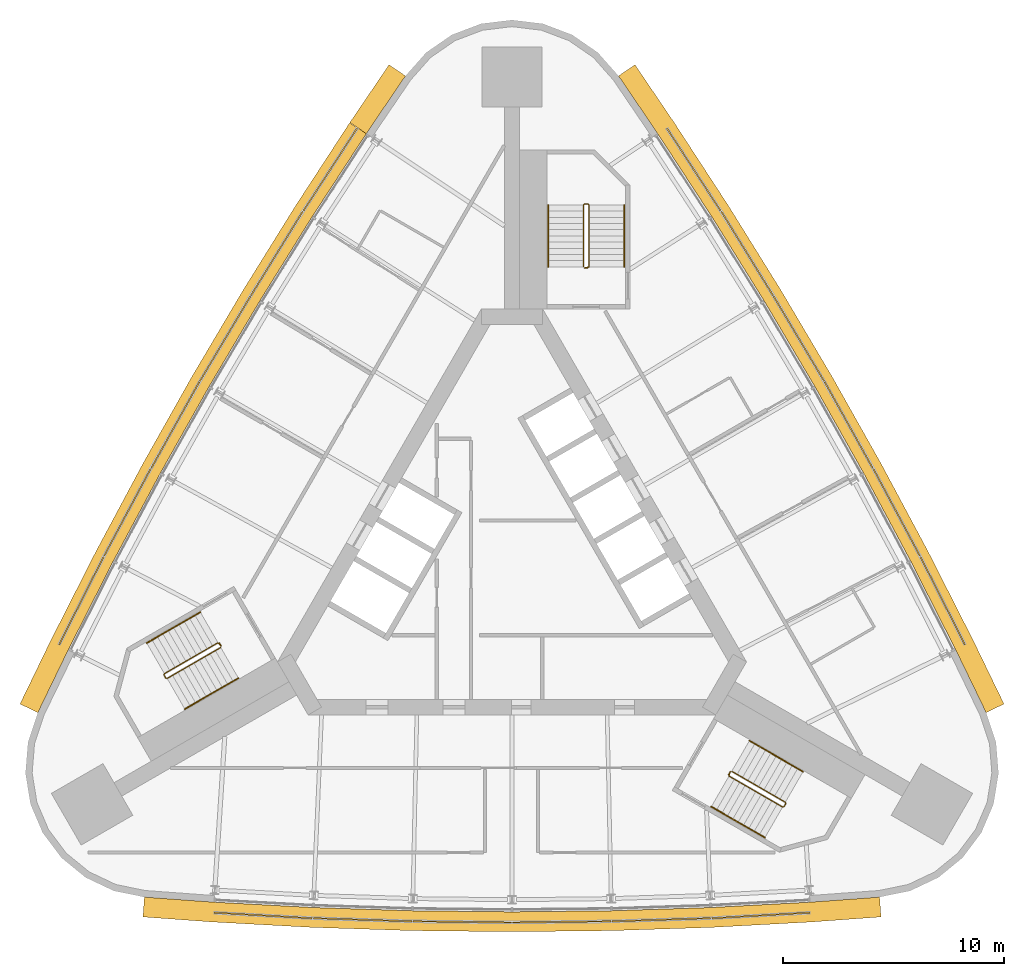
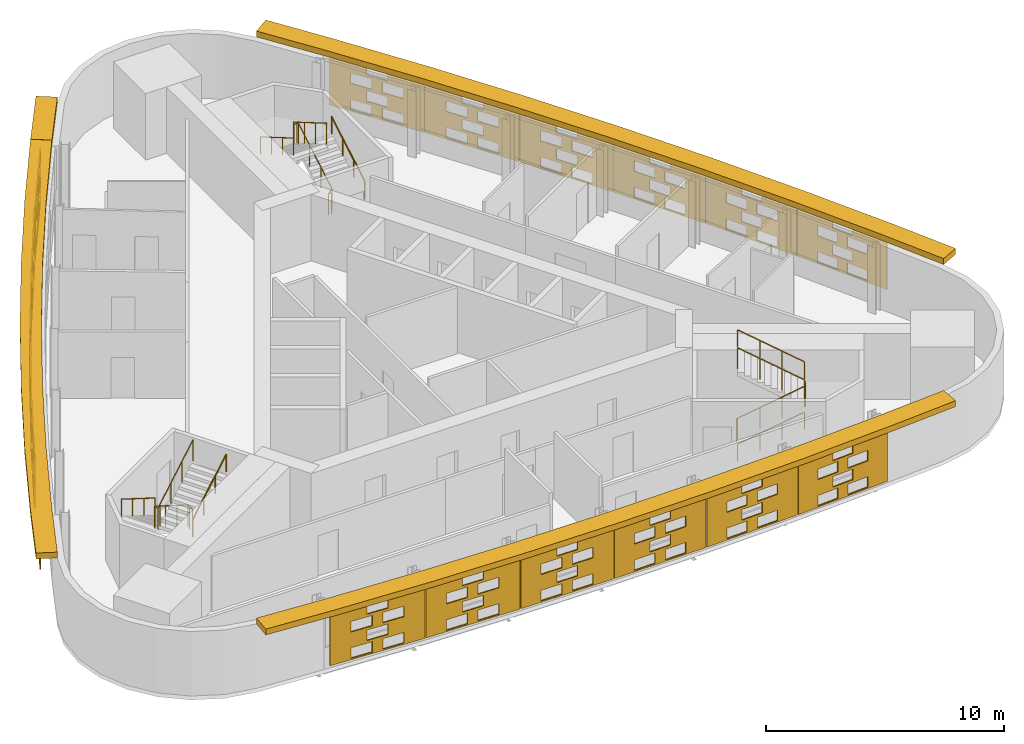
# One storey, part 10 of 10: 22 shading devices, 9 railings.
"""IFC4 building model written with IfcOpenShell, lengths in metres."""

from ifc_helpers import new_model, si_unit, direction, frame, origin, origin_2d, place, context, subcontext, project, spatial, polyline, circle, outline, extrude, material, material_profile, profile_set, type_object, element, save


model = new_model("IFC4")

# Units and contexts
model_context = context("Model", 3, precision=1e-05, world=origin(), true_north=direction((0.0, 1.0)))
body_context = subcontext(model_context, "Body", "Model", "MODEL_VIEW")
ifc_project = project(units=[si_unit("LENGTHUNIT", "METRE"), si_unit("AREAUNIT", "SQUARE_METRE"), si_unit("VOLUMEUNIT", "CUBIC_METRE"), si_unit("PLANEANGLEUNIT", "RADIAN"), si_unit("MASSUNIT", "GRAM", prefix="KILO")], contexts=[model_context])

# Site, building, storey
site_placement = place(None, origin())
site = spatial("IfcSite", under=ifc_project, at=site_placement, CompositionType="ELEMENT")
building_placement = place(site_placement, origin())
building = spatial("IfcBuilding", under=site, at=building_placement, Name="Noor Cloister Tower", CompositionType="ELEMENT")
storey_placement = place(building_placement, frame((0.0, 0.0, 195.89990234375)))
storey = spatial("IfcBuildingStorey", under=building, at=storey_placement, Name="L50", CompositionType="ELEMENT", Elevation=195.89990234375)

# Shading devices
ifc_material_1 = material(Name="Limestone", Category="masonry")
ifc_material_profile = material_profile(ifc_material_1, outline(polyline([(-2.22998046875, -1.35009765625), (2.22998046875, -1.35009765625), (2.22998046875, 1.35009765625), (-2.22998046875, 1.35009765625), (-2.22998046875, -1.35009765625)]), holes=[polyline([(-1.25, -1.282470703125), (-0.25, -1.282470703125), (-0.25, -0.742431640625), (-1.25, -0.742431640625), (-1.25, -1.282470703125)]), polyline([(0.25, -1.282470703125), (1.25, -1.282470703125), (1.25, -0.742431640625), (0.25, -0.742431640625), (0.25, -1.282470703125)]), polyline([(-0.5, -0.607421875), (0.5, -0.607421875), (0.5, -0.0673828125), (-0.5, -0.0673828125), (-0.5, -0.607421875)]), polyline([(-1.25, 0.0673828125), (-0.25, 0.0673828125), (-0.25, 0.607421875), (-1.25, 0.607421875), (-1.25, 0.0673828125)]), polyline([(0.25, 0.0673828125), (1.25, 0.0673828125), (1.25, 0.607421875), (0.25, 0.607421875), (0.25, 0.0673828125)]), polyline([(-0.5, 0.742431640625), (0.5, 0.742431640625), (0.5, 1.282470703125), (-0.5, 1.282470703125), (-0.5, 0.742431640625)])]), Name="Woven screen 32 percent open")
ifc_profile_set = profile_set([ifc_material_profile], Name="Limestone")
shading_device_type_1 = type_object("IfcShadingDeviceType", Name="SCREEN woven limestone 32 percent open", PredefinedType="USERDEFINED", material=ifc_profile_set)
for number, where, z_axis, x_axis, name in (
    (1, (-8.20068359375, 17.74609375, 1.85009765625), (-0.838257628123, 0.545274379459, 0.0), (-0.545274379459, -0.838257628123, 0.0), "SCREEN L50 1"),
    (2, (-10.622314453125, 13.942138671875, 1.85009765625), (-0.850958576931, 0.525232805857, 0.0), (-0.525232805857, -0.850958576931, 0.0), "SCREEN L50 2"),
):
    element("IfcShadingDevice", number, at=place(storey_placement, frame(where, z_axis=z_axis, x_axis=x_axis)), inside=storey, type_object=shading_device_type_1, Name=name, ObjectType="SCREEN", PredefinedType="USERDEFINED", context=body_context, shape_type="SweptSolid", body=[
        extrude(outline(polyline([(-2.22998046875, -1.35009765625), (2.22998046875, -1.35009765625), (2.22998046875, 1.35009765625), (-2.22998046875, 1.35009765625), (-2.22998046875, -1.35009765625)]), holes=[polyline([(-1.25, -1.282470703125), (-0.25, -1.282470703125), (-0.25, -0.742431640625), (-1.25, -0.742431640625), (-1.25, -1.282470703125)]), polyline([(0.25, -1.282470703125), (1.25, -1.282470703125), (1.25, -0.742431640625), (0.25, -0.742431640625), (0.25, -1.282470703125)]), polyline([(-0.5, -0.607421875), (0.5, -0.607421875), (0.5, -0.0673828125), (-0.5, -0.0673828125), (-0.5, -0.607421875)]), polyline([(-1.25, 0.0673828125), (-0.25, 0.0673828125), (-0.25, 0.607421875), (-1.25, 0.607421875), (-1.25, 0.0673828125)]), polyline([(0.25, 0.0673828125), (1.25, 0.0673828125), (1.25, 0.607421875), (0.25, 0.607421875), (0.25, 0.0673828125)]), polyline([(-0.5, 0.742431640625), (0.5, 0.742431640625), (0.5, 1.282470703125), (-0.5, 1.282470703125), (-0.5, 0.742431640625)])]), origin(), (0.0, 0.0, 1.0), 0.06005859375),
    ])
shading_device_1_placement = place(storey_placement, frame((-12.9609375, 10.08642578125, 1.85009765625), z_axis=(-0.85963215675, 0.510913451654, 0.0), x_axis=(-0.510913451654, -0.85963215675, 0.0)))
element("IfcShadingDevice", 3, at=shading_device_1_placement, inside=storey, type_object=shading_device_type_1, Name="SCREEN L50 3", ObjectType="SCREEN", PredefinedType="USERDEFINED", context=body_context, shape_type="SweptSolid", body=[
    extrude(outline(polyline([(-2.22998046875, -1.35009765625), (2.22998046875, -1.35009765625), (2.22998046875, 1.35009765625), (-2.22998046875, 1.35009765625), (-2.22998046875, -1.35009765625)]), holes=[polyline([(-1.25, -1.282470703125), (-0.25, -1.282470703125), (-0.25, -0.742431640625), (-1.25, -0.742431640625), (-1.25, -1.282470703125)]), polyline([(0.25, -1.282470703125), (1.25, -1.282470703125), (1.25, -0.742431640625), (0.25, -0.742431640625), (0.25, -1.282470703125)]), polyline([(-0.5, -0.607421875), (0.5, -0.607421875), (0.5, -0.0673828125), (-0.5, -0.0673828125), (-0.5, -0.607421875)]), polyline([(-1.25, 0.0673828125), (-0.25, 0.0673828125), (-0.25, 0.607421875), (-1.25, 0.607421875), (-1.25, 0.0673828125)]), polyline([(0.25, 0.0673828125), (1.25, 0.0673828125), (1.25, 0.607421875), (0.25, 0.607421875), (0.25, 0.0673828125)]), polyline([(-0.5, 0.742431640625), (0.5, 0.742431640625), (0.5, 1.282470703125), (-0.5, 1.282470703125), (-0.5, 0.742431640625)])]), origin(), (0.0, 0.0, 1.0), 0.060302734375),
])
for number, where, z_axis, x_axis, name in (
    (4, (-15.215576171875, 6.181396484375, 1.85009765625), (-0.873197702015, 0.487366159264, 0.0), (-0.487366159264, -0.873197702015, 0.0), "SCREEN L50 4"),
    (5, (-17.38525390625, 2.228271484375, 1.85009765625), (-0.88190253726, 0.47143177107, 0.0), (-0.47143177107, -0.88190253726, 0.0), "SCREEN L50 5"),
    (6, (-19.468994140625, -1.77099609375, 1.85009765625), (-0.891970083601, 0.452094425935, 0.0), (-0.452094425935, -0.891970083601, 0.0), "SCREEN L50 6"),
    (7, (-11.26806640625, -15.97509765625, 1.85009765625), (-0.056818631031, -0.998384516691, 0.0), (0.998384516691, -0.056818631031, 0.0), "SCREEN L50 1"),
    (8, (-6.762939453125, -16.170166015625, 1.85009765625), (-0.032503142546, -0.999471633277, 0.0), (0.999471633277, -0.032503142546, 0.0), "SCREEN L50 2"),
    (9, (-2.254638671875, -16.267822265625, 1.85009765625), (-0.012194215217, -0.999925647793, 0.0), (0.999925647793, -0.012194215217, 0.0), "SCREEN L50 3"),
    (10, (2.254638671875, -16.267822265625, 1.85009765625), (0.012194215217, -0.999925647793, 0.0), (0.999925647793, 0.012194215217, 0.0), "SCREEN L50 4"),
    (11, (6.762939453125, -16.170166015625, 1.85009765625), (0.032503142546, -0.999471633277, 0.0), (0.999471633277, 0.032503142546, 0.0), "SCREEN L50 5"),
    (12, (11.26806640625, -15.97509765625, 1.85009765625), (0.056818631031, -0.998384516691, 0.0), (0.998384516691, 0.056818631031, 0.0), "SCREEN L50 6"),
    (13, (19.468994140625, -1.77099609375, 1.85009765625), (0.891970083601, 0.452094425935, 0.0), (-0.452094425935, 0.891970083601, 0.0), "SCREEN L50 1"),
    (14, (17.38525390625, 2.228271484375, 1.85009765625), (0.88190253726, 0.47143177107, 0.0), (-0.47143177107, 0.88190253726, 0.0), "SCREEN L50 2"),
    (15, (15.215576171875, 6.181396484375, 1.85009765625), (0.873197702015, 0.487366159264, 0.0), (-0.487366159264, 0.873197702015, 0.0), "SCREEN L50 3"),
):
    element("IfcShadingDevice", number, at=place(storey_placement, frame(where, z_axis=z_axis, x_axis=x_axis)), inside=storey, type_object=shading_device_type_1, Name=name, ObjectType="SCREEN", PredefinedType="USERDEFINED", context=body_context, shape_type="SweptSolid", body=[
        extrude(outline(polyline([(-2.22998046875, -1.35009765625), (2.22998046875, -1.35009765625), (2.22998046875, 1.35009765625), (-2.22998046875, 1.35009765625), (-2.22998046875, -1.35009765625)]), holes=[polyline([(-1.25, -1.282470703125), (-0.25, -1.282470703125), (-0.25, -0.742431640625), (-1.25, -0.742431640625), (-1.25, -1.282470703125)]), polyline([(0.25, -1.282470703125), (1.25, -1.282470703125), (1.25, -0.742431640625), (0.25, -0.742431640625), (0.25, -1.282470703125)]), polyline([(-0.5, -0.607421875), (0.5, -0.607421875), (0.5, -0.0673828125), (-0.5, -0.0673828125), (-0.5, -0.607421875)]), polyline([(-1.25, 0.0673828125), (-0.25, 0.0673828125), (-0.25, 0.607421875), (-1.25, 0.607421875), (-1.25, 0.0673828125)]), polyline([(0.25, 0.0673828125), (1.25, 0.0673828125), (1.25, 0.607421875), (0.25, 0.607421875), (0.25, 0.0673828125)]), polyline([(-0.5, 0.742431640625), (0.5, 0.742431640625), (0.5, 1.282470703125), (-0.5, 1.282470703125), (-0.5, 0.742431640625)])]), origin(), (0.0, 0.0, 1.0), 0.06005859375),
    ])
shading_device_2_placement = place(storey_placement, frame((12.9609375, 10.08642578125, 1.85009765625), z_axis=(0.85963215675, 0.510913451654, 0.0), x_axis=(-0.510913451654, 0.85963215675, 0.0)))
element("IfcShadingDevice", 16, at=shading_device_2_placement, inside=storey, type_object=shading_device_type_1, Name="SCREEN L50 4", ObjectType="SCREEN", PredefinedType="USERDEFINED", context=body_context, shape_type="SweptSolid", body=[
    extrude(outline(polyline([(-2.22998046875, -1.35009765625), (2.22998046875, -1.35009765625), (2.22998046875, 1.35009765625), (-2.22998046875, 1.35009765625), (-2.22998046875, -1.35009765625)]), holes=[polyline([(-1.25, -1.282470703125), (-0.25, -1.282470703125), (-0.25, -0.742431640625), (-1.25, -0.742431640625), (-1.25, -1.282470703125)]), polyline([(0.25, -1.282470703125), (1.25, -1.282470703125), (1.25, -0.742431640625), (0.25, -0.742431640625), (0.25, -1.282470703125)]), polyline([(-0.5, -0.607421875), (0.5, -0.607421875), (0.5, -0.0673828125), (-0.5, -0.0673828125), (-0.5, -0.607421875)]), polyline([(-1.25, 0.0673828125), (-0.25, 0.0673828125), (-0.25, 0.607421875), (-1.25, 0.607421875), (-1.25, 0.0673828125)]), polyline([(0.25, 0.0673828125), (1.25, 0.0673828125), (1.25, 0.607421875), (0.25, 0.607421875), (0.25, 0.0673828125)]), polyline([(-0.5, 0.742431640625), (0.5, 0.742431640625), (0.5, 1.282470703125), (-0.5, 1.282470703125), (-0.5, 0.742431640625)])]), origin(), (0.0, 0.0, 1.0), 0.060302734375),
])
for number, where, z_axis, x_axis, name in (
    (17, (10.622314453125, 13.942138671875, 1.85009765625), (0.850958576931, 0.525232805857, 0.0), (-0.525232805857, 0.850958576931, 0.0), "SCREEN L50 5"),
    (18, (8.20068359375, 17.74609375, 1.85009765625), (0.838257628123, 0.545274379459, 0.0), (-0.545274379459, 0.838257628123, 0.0), "SCREEN L50 6"),
):
    element("IfcShadingDevice", number, at=place(storey_placement, frame(where, z_axis=z_axis, x_axis=x_axis)), inside=storey, type_object=shading_device_type_1, Name=name, ObjectType="SCREEN", PredefinedType="USERDEFINED", context=body_context, shape_type="SweptSolid", body=[
        extrude(outline(polyline([(-2.22998046875, -1.35009765625), (2.22998046875, -1.35009765625), (2.22998046875, 1.35009765625), (-2.22998046875, 1.35009765625), (-2.22998046875, -1.35009765625)]), holes=[polyline([(-1.25, -1.282470703125), (-0.25, -1.282470703125), (-0.25, -0.742431640625), (-1.25, -0.742431640625), (-1.25, -1.282470703125)]), polyline([(0.25, -1.282470703125), (1.25, -1.282470703125), (1.25, -0.742431640625), (0.25, -0.742431640625), (0.25, -1.282470703125)]), polyline([(-0.5, -0.607421875), (0.5, -0.607421875), (0.5, -0.0673828125), (-0.5, -0.0673828125), (-0.5, -0.607421875)]), polyline([(-1.25, 0.0673828125), (-0.25, 0.0673828125), (-0.25, 0.607421875), (-1.25, 0.607421875), (-1.25, 0.0673828125)]), polyline([(0.25, 0.0673828125), (1.25, 0.0673828125), (1.25, 0.607421875), (0.25, 0.607421875), (0.25, 0.0673828125)]), polyline([(-0.5, 0.742431640625), (0.5, 0.742431640625), (0.5, 1.282470703125), (-0.5, 1.282470703125), (-0.5, 0.742431640625)])]), origin(), (0.0, 0.0, 1.0), 0.06005859375),
    ])
ifc_material_2 = material(Name="Limestone", Category="masonry")
shading_device_type_2 = type_object("IfcShadingDeviceType", Name="SUNSHADE limestone band 900", PredefinedType="USERDEFINED", material=ifc_material_2)
shading_device_3_placement = place(storey_placement, frame((0.0, 0.0, 3.300048828125)))
element("IfcShadingDevice", 19, at=shading_device_3_placement, inside=storey, type_object=shading_device_type_2, Name="SUNSHADE L50 1", ObjectType="SUNSHADE", PredefinedType="USERDEFINED", context=body_context, shape_type="SweptSolid", body=[
    extrude(outline(polyline([(-7.34912109375, 19.876708984375), (-9.811767578125, 16.098876953125), (-12.197265625, 12.26025390625), (-14.499267578125, 8.37109375), (-16.71630859375, 4.43310546875), (-18.847900390625, 0.44775390625), (-20.89208984375, -3.581298828125), (-22.272705078125, -6.431640625), (-21.462646484375, -6.823974609375), (-20.085693359375, -3.98095703125), (-18.0498046875, 0.031982421875), (-15.927490234375, 4.0), (-13.7197265625, 7.921142578125), (-11.427734375, 11.79345703125), (-9.052490234375, 15.615478515625), (-6.59521484375, 19.38525390625), (-7.34912109375, 19.876708984375)])), origin(), (0.0, 0.0, 1.0), 0.300048828125),
])
shading_device_4_placement = place(storey_placement, frame((0.0, 0.0, 3.300048828125)))
element("IfcShadingDevice", 20, at=shading_device_4_placement, inside=storey, type_object=shading_device_type_2, Name="SUNSHADE L50 2", ObjectType="SUNSHADE", PredefinedType="USERDEFINED", context=body_context, shape_type="SweptSolid", body=[
    extrude(outline(polyline([(-16.706298828125, -16.072998046875), (-13.54736328125, -16.302490234375), (-9.0361328125, -16.546630859375), (-4.51904296875, -16.693359375), (0.0, -16.7421875), (4.51904296875, -16.693359375), (9.0361328125, -16.546630859375), (13.54736328125, -16.302490234375), (16.706298828125, -16.072998046875), (16.640869140625, -15.17529296875), (13.490478515625, -15.404052734375), (8.9970703125, -15.6474609375), (4.499755859375, -15.79345703125), (0.0, -15.84228515625), (-4.499755859375, -15.79345703125), (-8.9970703125, -15.6474609375), (-13.490478515625, -15.404052734375), (-16.640869140625, -15.17529296875), (-16.706298828125, -16.072998046875)])), origin(), (0.0, 0.0, 1.0), 0.300048828125),
])
shading_device_5_placement = place(storey_placement, frame((0.0, 0.0, 3.300048828125)))
element("IfcShadingDevice", 21, at=shading_device_5_placement, inside=storey, type_object=shading_device_type_2, Name="SUNSHADE L50 3", ObjectType="SUNSHADE", PredefinedType="USERDEFINED", context=body_context, shape_type="SweptSolid", body=[
    extrude(outline(polyline([(22.272705078125, -6.431640625), (20.89208984375, -3.581298828125), (18.847900390625, 0.44775390625), (16.71630859375, 4.43310546875), (14.499267578125, 8.37109375), (12.197265625, 12.26025390625), (9.811767578125, 16.098876953125), (7.344482421875, 19.883544921875), (5.56640625, 22.50439453125), (4.82177734375, 21.9990234375), (6.59521484375, 19.38525390625), (9.052490234375, 15.615478515625), (11.427734375, 11.79345703125), (13.7197265625, 7.921142578125), (15.927490234375, 4.0), (18.0498046875, 0.031982421875), (20.085693359375, -3.98095703125), (21.462646484375, -6.823974609375), (22.272705078125, -6.431640625)])), origin(), (0.0, 0.0, 1.0), 0.300048828125),
])
shading_device_6_placement = place(storey_placement, frame((0.0, 0.0, 3.300048828125)))
element("IfcShadingDevice", 22, at=shading_device_6_placement, inside=storey, type_object=shading_device_type_2, Name="SUNSHADE L50 4", ObjectType="SUNSHADE", PredefinedType="USERDEFINED", context=body_context, shape_type="SweptSolid", body=[
    extrude(outline(polyline([(-5.56640625, 22.50439453125), (-7.33984375, 19.890380859375), (-6.59521484375, 19.38525390625), (-4.82177734375, 21.9990234375), (-5.56640625, 22.50439453125)])), origin(), (0.0, 0.0, 1.0), 0.300048828125),
])

# Railings
ifc_material_3 = material(Name="Stainless steel", Category="steel")
railing_type_1 = type_object("IfcRailingType", Name="Stair guard 1100", PredefinedType="GUARDRAIL", material=ifc_material_3)
railing_1_placement = place(storey_placement, frame((3.435546875, 13.306396484375, 0.0)))
element("IfcRailing", 23, at=railing_1_placement, inside=storey, type_object=railing_type_1, Name="Stair guard ST1 L50", PredefinedType="GUARDRAIL", context=body_context, shape_type="SweptSolid", body=[
    extrude(circle(Radius=0.02392578125, at=origin_2d()), frame((0.0, 0.0, 1.076171875), z_axis=(-1.0, 0.0, 0.0), x_axis=(0.0, -1.0, 0.0)), (0.0, 0.0, 1.0), 0.14990234375),
    extrude(circle(Radius=0.02392578125, at=origin_2d()), frame((-0.14990234375, 0.0, 1.076171875), z_axis=(0.759432192796, 0.190089865108, 0.622196582865), x_axis=(-0.242814311512, 0.970072785993, 0.0)), (0.0, 0.0, 1.0), 0.26318359375),
    extrude(circle(Radius=0.02392578125, at=origin_2d()), frame((0.050048828125, 0.050048828125, 1.23974609375), z_axis=(0.0, 0.863393664356, 0.504530851732), x_axis=(-1.0, 0.0, 0.0)), (0.0, 0.0, 1.0), 3.2431640625),
    extrude(circle(Radius=0.02392578125, at=origin_2d()), frame((0.050048828125, 2.85009765625, 2.8759765625), z_axis=(-0.708833529934, 0.705375805398, 0.0), x_axis=(-0.705375805398, -0.708833529934, 0.0)), (0.0, 0.0, 1.0), 0.070556640625),
    extrude(circle(Radius=0.02392578125, at=origin_2d()), frame((0.0, 2.89990234375, 2.8759765625), z_axis=(-1.0, 0.0, 0.0), x_axis=(0.0, -1.0, 0.0)), (0.0, 0.0, 1.0), 0.14990234375),
    extrude(circle(Radius=0.02392578125, at=origin_2d()), frame((-0.14990234375, 2.89990234375, 2.8759765625), z_axis=(-0.280916556609, -0.279546231943, 0.91811752648), x_axis=(0.705375805398, -0.708833529934, 0.0)), (0.0, 0.0, 1.0), 0.17822265625),
    extrude(circle(Radius=0.02392578125, at=origin_2d()), frame((-0.199951171875, 2.85009765625, 3.03955078125), z_axis=(0.0, -0.863360870873, 0.504586966384), x_axis=(1.0, 0.0, 0.0)), (0.0, 0.0, 1.0), 3.2431640625),
    extrude(circle(Radius=0.02099609375, at=origin_2d()), origin(), (0.0, 0.0, 1.0), 1.052001953125),
    extrude(circle(Radius=0.02099609375, at=origin_2d()), frame((-0.14990234375, 0.0, 0.0)), (0.0, 0.0, 1.0), 1.052001953125),
    extrude(circle(Radius=0.02099609375, at=origin_2d()), frame((0.050048828125, 0.050048828125, 0.163818359375)), (0.0, 0.0, 1.0), 1.052001953125),
    extrude(circle(Radius=0.02099609375, at=origin_2d()), frame((0.050048828125, 0.9833984375, 0.709228515625)), (0.0, 0.0, 1.0), 1.052001953125),
    extrude(circle(Radius=0.02099609375, at=origin_2d()), frame((0.050048828125, 1.916748046875, 1.254638671875)), (0.0, 0.0, 1.0), 1.052001953125),
    extrude(circle(Radius=0.02099609375, at=origin_2d()), frame((0.050048828125, 2.85009765625, 1.800048828125)), (0.0, 0.0, 1.0), 1.052001953125),
    extrude(circle(Radius=0.02099609375, at=origin_2d()), frame((0.0, 2.89990234375, 1.800048828125)), (0.0, 0.0, 1.0), 1.052001953125),
    extrude(circle(Radius=0.02099609375, at=origin_2d()), frame((-0.14990234375, 2.89990234375, 1.800048828125)), (0.0, 0.0, 1.0), 1.052001953125),
    extrude(circle(Radius=0.02099609375, at=origin_2d()), frame((-0.199951171875, 2.85009765625, 1.963623046875)), (0.0, 0.0, 1.0), 1.052001953125),
    extrude(circle(Radius=0.02099609375, at=origin_2d()), frame((-0.199951171875, 1.916748046875, 2.509033203125)), (0.0, 0.0, 1.0), 1.052001953125),
    extrude(circle(Radius=0.02099609375, at=origin_2d()), frame((-0.199951171875, 0.9833984375, 3.0546875)), (0.0, 0.0, 1.0), 1.052001953125),
    extrude(circle(Radius=0.02099609375, at=origin_2d()), frame((-0.199951171875, 0.050048828125, 3.60009765625)), (0.0, 0.0, 1.0), 1.052001953125),
])
railing_2_placement = place(storey_placement, frame((-13.241455078125, -3.677734375, 0.0)))
element("IfcRailing", 24, at=railing_2_placement, inside=storey, type_object=railing_type_1, Name="Stair guard ST2 L50", PredefinedType="GUARDRAIL", context=body_context, shape_type="SweptSolid", body=[
    extrude(circle(Radius=0.02392578125, at=origin_2d()), frame((0.0, 0.0, 1.076171875), z_axis=(0.499112439033, -0.866537231285, 0.0), x_axis=(0.866537231285, 0.499112439033, 0.0)), (0.0, 0.0, 1.0), 0.150146484375),
    extrude(circle(Radius=0.02392578125, at=origin_2d()), frame((0.074951171875, -0.130126953125, 1.076171875), z_axis=(-0.544251820729, 0.562795323991, 0.622134534428), x_axis=(-0.718850276695, -0.695164929852, 0.0)), (0.0, 0.0, 1.0), 0.263427734375),
    extrude(circle(Radius=0.02392578125, at=origin_2d()), frame((-0.068359375, 0.01806640625, 1.23974609375), z_axis=(-0.74771821388, -0.431677027627, 0.504551698492), x_axis=(0.49998411664, -0.866034573852, 0.0)), (0.0, 0.0, 1.0), 3.242919921875),
    extrude(circle(Radius=0.02392578125, at=origin_2d()), frame((-2.4931640625, -1.3818359375, 2.8759765625), z_axis=(-0.258736085224, -0.965948051503, 0.0), x_axis=(0.965948051503, -0.258736085224, 0.0)), (0.0, 0.0, 1.0), 0.07080078125),
    extrude(circle(Radius=0.02392578125, at=origin_2d()), frame((-2.511474609375, -1.4501953125, 2.8759765625), z_axis=(0.499816412211, -0.866131372301, 0.0), x_axis=(0.866131372301, 0.499816412211, 0.0)), (0.0, 0.0, 1.0), 0.14990234375),
    extrude(circle(Radius=0.02392578125, at=origin_2d()), frame((-2.4365234375, -1.580078125, 2.8759765625), z_axis=(0.383552647116, -0.102737316192, 0.917786691313), x_axis=(0.258736085224, 0.965948051503, 0.0)), (0.0, 0.0, 1.0), 0.17822265625),
    extrude(circle(Radius=0.02392578125, at=origin_2d()), frame((-2.3681640625, -1.598388671875, 3.03955078125), z_axis=(0.747665513933, 0.431721881032, 0.504591415616), x_axis=(-0.500049511043, 0.865996816683, 0.0)), (0.0, 0.0, 1.0), 3.2431640625),
    extrude(circle(Radius=0.02099609375, at=origin_2d()), origin(), (0.0, 0.0, 1.0), 1.052001953125),
    extrude(circle(Radius=0.02099609375, at=origin_2d()), frame((0.074951171875, -0.130126953125, 0.0)), (0.0, 0.0, 1.0), 1.052001953125),
    extrude(circle(Radius=0.02099609375, at=origin_2d()), frame((-0.068359375, 0.01806640625, 0.163818359375)), (0.0, 0.0, 1.0), 1.052001953125),
    extrude(circle(Radius=0.02099609375, at=origin_2d()), frame((-0.876708984375, -0.448486328125, 0.709228515625)), (0.0, 0.0, 1.0), 1.052001953125),
    extrude(circle(Radius=0.02099609375, at=origin_2d()), frame((-1.684814453125, -0.915283203125, 1.254638671875)), (0.0, 0.0, 1.0), 1.052001953125),
    extrude(circle(Radius=0.02099609375, at=origin_2d()), frame((-2.4931640625, -1.3818359375, 1.800048828125)), (0.0, 0.0, 1.0), 1.052001953125),
    extrude(circle(Radius=0.02099609375, at=origin_2d()), frame((-2.511474609375, -1.4501953125, 1.800048828125)), (0.0, 0.0, 1.0), 1.052001953125),
    extrude(circle(Radius=0.02099609375, at=origin_2d()), frame((-2.4365234375, -1.580078125, 1.800048828125)), (0.0, 0.0, 1.0), 1.052001953125),
    extrude(circle(Radius=0.02099609375, at=origin_2d()), frame((-2.3681640625, -1.598388671875, 1.963623046875)), (0.0, 0.0, 1.0), 1.052001953125),
    extrude(circle(Radius=0.02099609375, at=origin_2d()), frame((-1.559814453125, -1.131591796875, 2.509033203125)), (0.0, 0.0, 1.0), 1.052001953125),
    extrude(circle(Radius=0.02099609375, at=origin_2d()), frame((-0.751708984375, -0.6650390625, 3.0546875)), (0.0, 0.0, 1.0), 1.052001953125),
    extrude(circle(Radius=0.02099609375, at=origin_2d()), frame((0.056640625, -0.1982421875, 3.60009765625)), (0.0, 0.0, 1.0), 1.052001953125),
])
railing_3_placement = place(storey_placement, frame((9.805908203125, -9.628662109375, 0.0)))
element("IfcRailing", 25, at=railing_3_placement, inside=storey, type_object=railing_type_1, Name="Stair guard ST3 L50", PredefinedType="GUARDRAIL", context=body_context, shape_type="SweptSolid", body=[
    extrude(circle(Radius=0.02392578125, at=origin_2d()), frame((0.0, 0.0, 1.076171875), z_axis=(0.499112439033, 0.866537231285, 0.0), x_axis=(-0.866537231285, 0.499112439033, 0.0)), (0.0, 0.0, 1.0), 0.150146484375),
    extrude(circle(Radius=0.02392578125, at=origin_2d()), frame((0.074951171875, 0.130126953125, 1.076171875), z_axis=(-0.215090770512, -0.752817696793, 0.622094426784), x_axis=(0.961523947641, -0.274721127897, 0.0)), (0.0, 0.0, 1.0), 0.263427734375),
    extrude(circle(Radius=0.02392578125, at=origin_2d()), frame((0.018310546875, -0.068115234375, 1.23974609375), z_axis=(0.747693913401, -0.431738279637, 0.504535300807), x_axis=(0.500049511043, 0.865996816683, 0.0)), (0.0, 0.0, 1.0), 3.2431640625),
    extrude(circle(Radius=0.02392578125, at=origin_2d()), frame((2.443115234375, -1.46826171875, 2.8759765625), z_axis=(0.965948051503, 0.258736085224, 0.0), x_axis=(-0.258736085224, 0.965948051503, 0.0)), (0.0, 0.0, 1.0), 0.07080078125),
    extrude(circle(Radius=0.02392578125, at=origin_2d()), frame((2.511474609375, -1.449951171875, 2.8759765625), z_axis=(0.499816412211, 0.866131372301, 0.0), x_axis=(-0.866131372301, 0.499816412211, 0.0)), (0.0, 0.0, 1.0), 0.14990234375),
    extrude(circle(Radius=0.02392578125, at=origin_2d()), frame((2.58642578125, -1.320068359375, 2.8759765625), z_axis=(-0.102737316192, 0.383552647116, 0.917786691313), x_axis=(-0.965948051503, -0.258736085224, 0.0)), (0.0, 0.0, 1.0), 0.17822265625),
    extrude(circle(Radius=0.02392578125, at=origin_2d()), frame((2.568115234375, -1.251708984375, 3.03955078125), z_axis=(-0.747689811644, 0.431660630283, 0.504607813879), x_axis=(-0.49998411664, -0.866034573852, 0.0)), (0.0, 0.0, 1.0), 3.2431640625),
    extrude(circle(Radius=0.02099609375, at=origin_2d()), origin(), (0.0, 0.0, 1.0), 1.052001953125),
    extrude(circle(Radius=0.02099609375, at=origin_2d()), frame((0.074951171875, 0.130126953125, 0.0)), (0.0, 0.0, 1.0), 1.052001953125),
    extrude(circle(Radius=0.02099609375, at=origin_2d()), frame((0.018310546875, -0.068115234375, 0.163818359375)), (0.0, 0.0, 1.0), 1.052001953125),
    extrude(circle(Radius=0.02099609375, at=origin_2d()), frame((0.82666015625, -0.534912109375, 0.709228515625)), (0.0, 0.0, 1.0), 1.052001953125),
    extrude(circle(Radius=0.02099609375, at=origin_2d()), frame((1.634765625, -1.00146484375, 1.254638671875)), (0.0, 0.0, 1.0), 1.052001953125),
    extrude(circle(Radius=0.02099609375, at=origin_2d()), frame((2.443115234375, -1.46826171875, 1.800048828125)), (0.0, 0.0, 1.0), 1.052001953125),
    extrude(circle(Radius=0.02099609375, at=origin_2d()), frame((2.511474609375, -1.449951171875, 1.800048828125)), (0.0, 0.0, 1.0), 1.052001953125),
    extrude(circle(Radius=0.02099609375, at=origin_2d()), frame((2.58642578125, -1.320068359375, 1.800048828125)), (0.0, 0.0, 1.0), 1.052001953125),
    extrude(circle(Radius=0.02099609375, at=origin_2d()), frame((2.568115234375, -1.251708984375, 1.963623046875)), (0.0, 0.0, 1.0), 1.052001953125),
    extrude(circle(Radius=0.02099609375, at=origin_2d()), frame((1.759765625, -0.78515625, 2.509033203125)), (0.0, 0.0, 1.0), 1.052001953125),
    extrude(circle(Radius=0.02099609375, at=origin_2d()), frame((0.95166015625, -0.318359375, 3.0546875)), (0.0, 0.0, 1.0), 1.052001953125),
    extrude(circle(Radius=0.02099609375, at=origin_2d()), frame((0.143310546875, 0.148193359375, 3.60009765625)), (0.0, 0.0, 1.0), 1.052001953125),
])
ifc_material_4 = material(Name="Stainless steel", Category="steel")
railing_type_2 = type_object("IfcRailingType", Name="Stair handrail 900", PredefinedType="HANDRAIL", material=ifc_material_4)
railing_4_placement = place(storey_placement, frame((5.085693359375, 13.3564453125, 0.163818359375)))
element("IfcRailing", 26, at=railing_4_placement, inside=storey, type_object=railing_type_2, Name="Stair handrail ST1 L50 1", PredefinedType="HANDRAIL", context=body_context, shape_type="SweptSolid", body=[
    extrude(circle(Radius=0.02392578125, at=origin_2d()), frame((0.0, 0.0, 0.8759765625), z_axis=(0.0, 0.863393664356, 0.504530851732), x_axis=(-1.0, 0.0, 0.0)), (0.0, 0.0, 1.0), 3.2431640625),
    extrude(circle(Radius=0.02099609375, at=origin_2d()), origin(), (0.0, 0.0, 1.0), 0.851806640625),
    extrude(circle(Radius=0.02099609375, at=origin_2d()), frame((0.0, 0.933349609375, 0.54541015625)), (0.0, 0.0, 1.0), 0.851806640625),
    extrude(circle(Radius=0.02099609375, at=origin_2d()), frame((0.0, 1.86669921875, 1.0908203125)), (0.0, 0.0, 1.0), 0.851806640625),
    extrude(circle(Radius=0.02099609375, at=origin_2d()), frame((0.0, 2.800048828125, 1.63623046875)), (0.0, 0.0, 1.0), 0.851806640625),
])
railing_5_placement = place(storey_placement, frame((1.6357421875, 16.156494140625, 1.963623046875)))
element("IfcRailing", 27, at=railing_5_placement, inside=storey, type_object=railing_type_2, Name="Stair handrail ST1 L50 2", PredefinedType="HANDRAIL", context=body_context, shape_type="SweptSolid", body=[
    extrude(circle(Radius=0.02392578125, at=origin_2d()), frame((0.0, 0.0, 0.8759765625), z_axis=(0.0, -0.863360870873, 0.504586966384), x_axis=(1.0, 0.0, 0.0)), (0.0, 0.0, 1.0), 3.2431640625),
    extrude(circle(Radius=0.02099609375, at=origin_2d()), origin(), (0.0, 0.0, 1.0), 0.851806640625),
    extrude(circle(Radius=0.02099609375, at=origin_2d()), frame((0.0, -0.933349609375, 0.54541015625)), (0.0, 0.0, 1.0), 0.851806640625),
    extrude(circle(Radius=0.02099609375, at=origin_2d()), frame((0.0, -1.86669921875, 1.091064453125)), (0.0, 0.0, 1.0), 0.851806640625),
    extrude(circle(Radius=0.02099609375, at=origin_2d()), frame((0.0, -2.800048828125, 1.636474609375)), (0.0, 0.0, 1.0), 0.851806640625),
])
railing_6_placement = place(storey_placement, frame((-14.10986328125, -2.27392578125, 0.163818359375)))
element("IfcRailing", 28, at=railing_6_placement, inside=storey, type_object=railing_type_2, Name="Stair handrail ST2 L50 1", PredefinedType="HANDRAIL", context=body_context, shape_type="SweptSolid", body=[
    extrude(circle(Radius=0.02392578125, at=origin_2d()), frame((0.0, 0.0, 0.8759765625), z_axis=(-0.74771821388, -0.431677027627, 0.504551698492), x_axis=(0.49998411664, -0.866034573852, 0.0)), (0.0, 0.0, 1.0), 3.242919921875),
    extrude(circle(Radius=0.02099609375, at=origin_2d()), origin(), (0.0, 0.0, 1.0), 0.851806640625),
    extrude(circle(Radius=0.02099609375, at=origin_2d()), frame((-0.808349609375, -0.466552734375, 0.54541015625)), (0.0, 0.0, 1.0), 0.851806640625),
    extrude(circle(Radius=0.02099609375, at=origin_2d()), frame((-1.616455078125, -0.933349609375, 1.0908203125)), (0.0, 0.0, 1.0), 0.851806640625),
    extrude(circle(Radius=0.02099609375, at=origin_2d()), frame((-2.4248046875, -1.39990234375, 1.63623046875)), (0.0, 0.0, 1.0), 0.851806640625),
])
railing_7_placement = place(storey_placement, frame((-14.8095703125, -6.66162109375, 1.963623046875)))
element("IfcRailing", 29, at=railing_7_placement, inside=storey, type_object=railing_type_2, Name="Stair handrail ST2 L50 2", PredefinedType="HANDRAIL", context=body_context, shape_type="SweptSolid", body=[
    extrude(circle(Radius=0.02392578125, at=origin_2d()), frame((0.0, 0.0, 0.8759765625), z_axis=(0.747689811644, 0.431660630283, 0.504607813879), x_axis=(-0.49998411664, 0.866034573852, 0.0)), (0.0, 0.0, 1.0), 3.2431640625),
    extrude(circle(Radius=0.02099609375, at=origin_2d()), origin(), (0.0, 0.0, 1.0), 0.851806640625),
    extrude(circle(Radius=0.02099609375, at=origin_2d()), frame((0.808349609375, 0.466552734375, 0.54541015625)), (0.0, 0.0, 1.0), 0.851806640625),
    extrude(circle(Radius=0.02099609375, at=origin_2d()), frame((1.616455078125, 0.933349609375, 1.091064453125)), (0.0, 0.0, 1.0), 0.851806640625),
    extrude(circle(Radius=0.02099609375, at=origin_2d()), frame((2.4248046875, 1.39990234375, 1.636474609375)), (0.0, 0.0, 1.0), 0.851806640625),
])
railing_8_placement = place(storey_placement, frame((9.024169921875, -11.08251953125, 0.163818359375)))
element("IfcRailing", 30, at=railing_8_placement, inside=storey, type_object=railing_type_2, Name="Stair handrail ST3 L50 1", PredefinedType="HANDRAIL", context=body_context, shape_type="SweptSolid", body=[
    extrude(circle(Radius=0.02392578125, at=origin_2d()), frame((0.0, 0.0, 0.8759765625), z_axis=(0.74771821388, -0.431677027627, 0.504551698492), x_axis=(0.49998411664, 0.866034573852, 0.0)), (0.0, 0.0, 1.0), 3.242919921875),
    extrude(circle(Radius=0.02099609375, at=origin_2d()), origin(), (0.0, 0.0, 1.0), 0.851806640625),
    extrude(circle(Radius=0.02099609375, at=origin_2d()), frame((0.808349609375, -0.466552734375, 0.54541015625)), (0.0, 0.0, 1.0), 0.851806640625),
    extrude(circle(Radius=0.02099609375, at=origin_2d()), frame((1.616455078125, -0.933349609375, 1.0908203125)), (0.0, 0.0, 1.0), 0.851806640625),
    extrude(circle(Radius=0.02099609375, at=origin_2d()), frame((2.4248046875, -1.39990234375, 1.63623046875)), (0.0, 0.0, 1.0), 0.851806640625),
])
railing_9_placement = place(storey_placement, frame((13.174072265625, -9.49462890625, 1.963623046875)))
element("IfcRailing", 31, at=railing_9_placement, inside=storey, type_object=railing_type_2, Name="Stair handrail ST3 L50 2", PredefinedType="HANDRAIL", context=body_context, shape_type="SweptSolid", body=[
    extrude(circle(Radius=0.02392578125, at=origin_2d()), frame((0.0, 0.0, 0.8759765625), z_axis=(-0.747689811644, 0.431660630283, 0.504607813879), x_axis=(-0.49998411664, -0.866034573852, 0.0)), (0.0, 0.0, 1.0), 3.2431640625),
    extrude(circle(Radius=0.02099609375, at=origin_2d()), origin(), (0.0, 0.0, 1.0), 0.851806640625),
    extrude(circle(Radius=0.02099609375, at=origin_2d()), frame((-0.808349609375, 0.466552734375, 0.54541015625)), (0.0, 0.0, 1.0), 0.851806640625),
    extrude(circle(Radius=0.02099609375, at=origin_2d()), frame((-1.616455078125, 0.933349609375, 1.091064453125)), (0.0, 0.0, 1.0), 0.851806640625),
    extrude(circle(Radius=0.02099609375, at=origin_2d()), frame((-2.4248046875, 1.39990234375, 1.636474609375)), (0.0, 0.0, 1.0), 0.851806640625),
])

save(model, "model.ifc")
